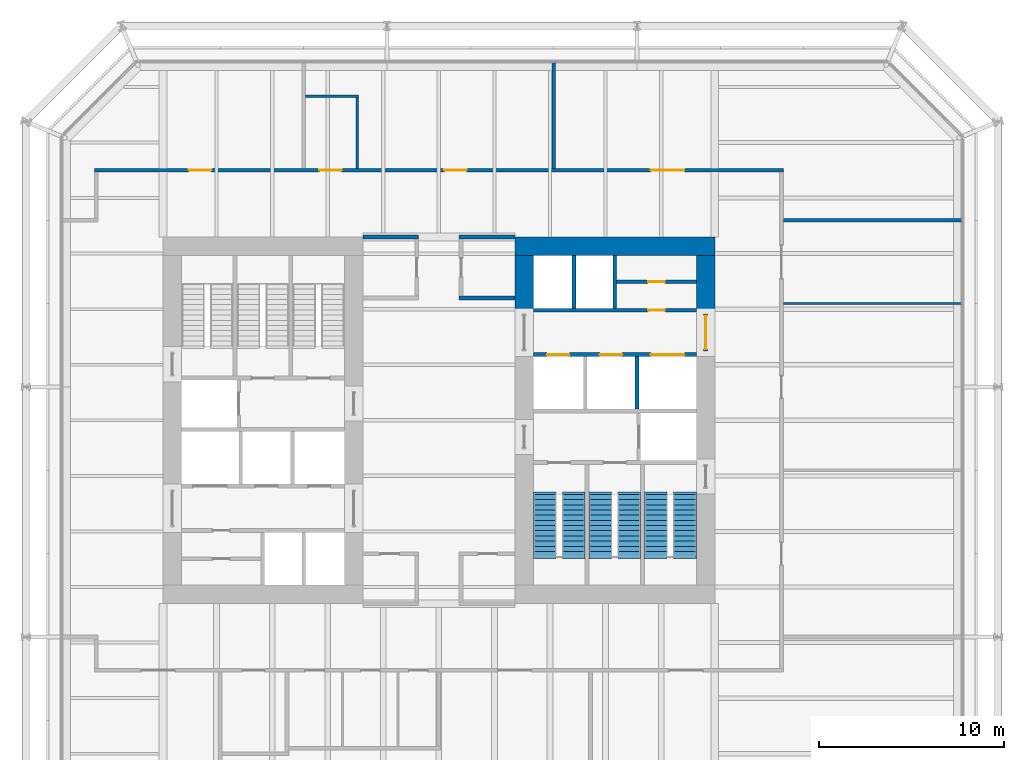
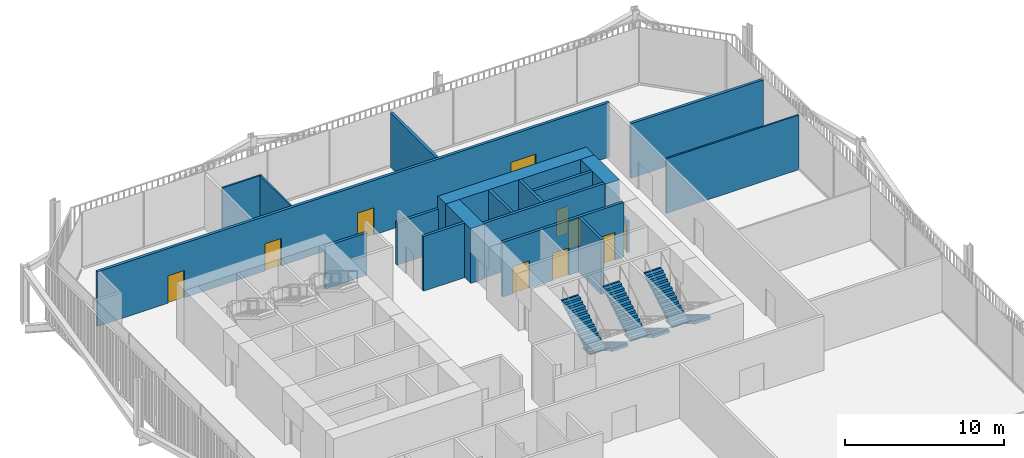
# One storey, part 19 of 21: 19 walls, 10 doors, 6 stair flights, 10 openings, 3 elements without a shape of their own.
"""IFC4 building model written with IfcOpenShell, lengths in metres."""

from ifc_helpers import new_model, si_unit, direction, frame, frame_2d, origin, place, context, subcontext, project, spatial, polyline, rectangle, outline, extrude, material, layer, layer_set, type_object, element, fill, aggregate, save


model = new_model("IFC4")

# Units and contexts
model_context = context("Model", 3, precision=1e-05, world=origin(), true_north=direction((0.0, 1.0)))
body_context = subcontext(model_context, "Body", "Model", "MODEL_VIEW")
ifc_project = project(units=[si_unit("LENGTHUNIT", "METRE"), si_unit("AREAUNIT", "SQUARE_METRE"), si_unit("VOLUMEUNIT", "CUBIC_METRE"), si_unit("PLANEANGLEUNIT", "RADIAN"), si_unit("MASSUNIT", "GRAM", prefix="KILO")], contexts=[model_context])

# Site, building, storey
site_placement = place(None, origin())
site = spatial("IfcSite", under=ifc_project, at=site_placement, CompositionType="ELEMENT")
building_placement = place(site_placement, origin())
building = spatial("IfcBuilding", under=site, at=building_placement, Name="Millrace Tower", CompositionType="ELEMENT")
storey_placement = place(building_placement, frame((0.0, 0.0, 90.800048828125)))
storey = spatial("IfcBuildingStorey", under=building, at=storey_placement, Name="L20", CompositionType="ELEMENT", Elevation=90.800048828125)

# Walls
ifc_material_1 = material(Name="Concrete C80", Category="concrete")
ifc_layer_1 = layer(ifc_material_1, 1.0)
ifc_layer_set_1 = layer_set([ifc_layer_1], Name="Concrete C80")
wall_type_1 = type_object("IfcWallType", Name="Core wall 1000 Concrete C80", PredefinedType="SHEAR", material=ifc_layer_set_1)
wall_1_placement = place(storey_placement, frame((14.89990234375, 9.39990234375, 0.0), z_axis=(0.0, 0.0, 1.0), x_axis=(-1.0, 0.0, 0.0)))
element("IfcWall", 1, at=wall_1_placement, inside=storey, type_object=wall_type_1, Name="Core wall E L20", PredefinedType="SHEAR", context=body_context, shape_type="SweptSolid", body=[
    extrude(rectangle(XDim=10.7998046875, YDim=1.0, at=frame_2d((5.39990234375, 0.0))), origin(), (0.0, 0.0, 1.0), 4.199951171875),
])
for number, where, z_axis, x_axis, name in (
    (2, (14.39990234375, 8.89990234375, 0.0), (0.0, 0.0, 1.0), (0.0, -1.0, 0.0), "Core wall E L20"),
    (3, (4.60009765625, 8.89990234375, 0.0), (0.0, 0.0, 1.0), (0.0, -1.0, 0.0), "Core wall E L20"),
):
    element("IfcWall", number, at=place(storey_placement, frame(where, z_axis=z_axis, x_axis=x_axis)), inside=storey, type_object=wall_type_1, Name=name, PredefinedType="SHEAR", context=body_context, shape_type="SweptSolid", body=[
        extrude(rectangle(XDim=3.14990234375, YDim=1.0, at=frame_2d((1.574951171875, 0.0))), origin(), (0.0, 0.0, 1.0), 4.199951171875),
    ])
ifc_material_2 = material(Name="Masonry partition, fire-rated", Category="masonry")
ifc_layer_2 = layer(ifc_material_2, 0.199951171875)
ifc_layer_set_2 = layer_set([ifc_layer_2], Name="Masonry partition, fire-rated")
wall_type_2 = type_object("IfcWallType", Name="Corridor wall 200", PredefinedType="PARTITIONING", material=ifc_layer_set_2)
wall_2_placement = place(storey_placement, frame((1.10009765625, 6.60009765625, 0.0), z_axis=(0.0, 0.0, 1.0), x_axis=(1.0, 0.0, 0.0)))
element("IfcWall", 4, at=wall_2_placement, inside=storey, type_object=wall_type_2, Name="Corridor wall L20", PredefinedType="PARTITIONING", context=body_context, shape_type="SweptSolid", body=[
    extrude(rectangle(XDim=3.0, YDim=0.199951171875, at=frame_2d((1.5, 0.0))), origin(), (0.0, 0.0, 1.0), 4.199951171875),
])
for number, where, z_axis, x_axis, name in (
    (5, (-4.10009765625, 9.89990234375, 0.0), (0.0, 0.0, 1.0), (1.0, 0.0, 0.0), "Corridor wall L20"),
    (6, (1.10009765625, 9.89990234375, 0.0), (0.0, 0.0, 1.0), (1.0, 0.0, 0.0), "Corridor wall L20"),
):
    element("IfcWall", number, at=place(storey_placement, frame(where, z_axis=z_axis, x_axis=x_axis)), inside=storey, type_object=wall_type_2, Name=name, PredefinedType="PARTITIONING", context=body_context, shape_type="SweptSolid", body=[
        extrude(rectangle(XDim=3.0, YDim=0.199951171875, at=frame_2d((1.5, 0.0))), origin(), (0.0, 0.0, 1.0), 3.2626953125),
    ])
wall_3_placement = place(storey_placement, frame((18.60009765625, 10.800048828125, 0.0), z_axis=(0.0, 0.0, 1.0), x_axis=(1.0, 0.0, 0.0)))
element("IfcWall", 7, at=wall_3_placement, inside=storey, type_object=wall_type_2, Name="Corridor wall L20", PredefinedType="PARTITIONING", context=body_context, shape_type="SweptSolid", body=[
    extrude(rectangle(XDim=9.6298828125, YDim=0.199951171875, at=frame_2d((4.81494140625, 0.0))), origin(), (0.0, 0.0, 1.0), 4.199951171875),
])

# Wall, openings, doors
wall_4_placement = place(storey_placement, frame((-18.60009765625, 13.5, 0.0), z_axis=(0.0, 0.0, 1.0), x_axis=(1.0, 0.0, 0.0)))
wall_4 = element("IfcWall", 8, at=wall_4_placement, inside=storey, type_object=wall_type_2, Name="Corridor wall L20", PredefinedType="PARTITIONING", context=body_context, shape_type="SweptSolid", body=[
    extrude(rectangle(XDim=37.2001953125, YDim=0.199951171875, at=frame_2d((18.60009765625, 0.0))), origin(), (0.0, 0.0, 1.0), 4.199951171875),
])
opening_1_placement = place(wall_4_placement, frame((5.10009765625, 0.0, 0.0)))
opening_1 = element("IfcOpeningElement", 9, at=opening_1_placement, cuts=wall_4, Name="Opening 20-P009", PredefinedType="OPENING", context=body_context, shape_type="SweptSolid", body=[
    extrude(rectangle(XDim=1.199951171875, YDim=2.10009765625, at=frame_2d((0.60009765625, 1.050048828125))), frame((0.0, 0.10986328125, 0.0), z_axis=(0.0, -1.0, 0.0), x_axis=(1.0, 0.0, 0.0)), (0.0, 0.0, 1.0), 0.219970703125),
])
opening_2_placement = place(wall_4_placement, frame((18.89990234375, 0.0, 0.0)))
opening_2 = element("IfcOpeningElement", 10, at=opening_2_placement, cuts=wall_4, Name="Opening 20-P010", PredefinedType="OPENING", context=body_context, shape_type="SweptSolid", body=[
    extrude(rectangle(XDim=1.199951171875, YDim=2.10009765625, at=frame_2d((0.60009765625, 1.050048828125))), frame((0.0, 0.10986328125, 0.0), z_axis=(0.0, -1.0, 0.0), x_axis=(1.0, 0.0, 0.0)), (0.0, 0.0, 1.0), 0.219970703125),
])
opening_3_placement = place(wall_4_placement, frame((12.14990234375, 0.0, 0.0)))
opening_3 = element("IfcOpeningElement", 11, at=opening_3_placement, cuts=wall_4, Name="Opening 20-P011", PredefinedType="OPENING", context=body_context, shape_type="SweptSolid", body=[
    extrude(rectangle(XDim=1.199951171875, YDim=2.10009765625, at=frame_2d((0.60009765625, 1.050048828125))), frame((0.0, 0.10986328125, 0.0), z_axis=(0.0, -1.0, 0.0), x_axis=(1.0, 0.0, 0.0)), (0.0, 0.0, 1.0), 0.219970703125),
])
opening_4_placement = place(wall_4_placement, frame((30.050048828125, 0.0, 0.0)))
opening_4 = element("IfcOpeningElement", 12, at=opening_4_placement, cuts=wall_4, Name="Opening 20-P012", PredefinedType="OPENING", context=body_context, shape_type="SweptSolid", body=[
    extrude(rectangle(XDim=1.800048828125, YDim=2.10009765625, at=frame_2d((0.89990234375, 1.050048828125))), frame((0.0, 0.10986328125, 0.0), z_axis=(0.0, -1.0, 0.0), x_axis=(1.0, 0.0, 0.0)), (0.0, 0.0, 1.0), 0.219970703125),
])
ifc_material_3 = material(Name="Steel door set, fire-rated", Category="steel")
door_type_1 = type_object("IfcDoorType", Name="Corridor door 1200 x 2100", OperationType="SINGLE_SWING_LEFT", PredefinedType="DOOR", material=ifc_material_3)
door_1_placement = place(opening_2_placement, origin())
door_1 = element("IfcDoor", 13, at=door_1_placement, inside=storey, type_object=door_type_1, Name="Door 20-P010", OperationType="SINGLE_SWING_RIGHT", OverallHeight=2.10009765625, OverallWidth=1.199951171875, PredefinedType="DOOR", context=body_context, shape_type="SweptSolid", body=[
    extrude(rectangle(XDim=1.199951171875, YDim=2.10009765625, at=frame_2d((0.60009765625, 1.050048828125))), frame((0.0, 0.02490234375, 0.0), z_axis=(0.0, -1.0, 0.0), x_axis=(1.0, 0.0, 0.0)), (0.0, 0.0, 1.0), 0.050048828125),
])
fill(opening_2, door_1)
door_2_placement = place(opening_3_placement, origin())
door_2 = element("IfcDoor", 14, at=door_2_placement, inside=storey, type_object=door_type_1, Name="Door 20-P011", OperationType="SINGLE_SWING_LEFT", OverallHeight=2.10009765625, OverallWidth=1.199951171875, PredefinedType="DOOR", context=body_context, shape_type="SweptSolid", body=[
    extrude(rectangle(XDim=1.199951171875, YDim=2.10009765625, at=frame_2d((0.60009765625, 1.050048828125))), frame((0.0, 0.02490234375, 0.0), z_axis=(0.0, -1.0, 0.0), x_axis=(1.0, 0.0, 0.0)), (0.0, 0.0, 1.0), 0.050048828125),
])
fill(opening_3, door_2)
ifc_material_4 = material(Name="Steel door set, fire-rated", Category="steel")
door_type_2 = type_object("IfcDoorType", Name="Data hall door 1200 x 2100", OperationType="SINGLE_SWING_LEFT", PredefinedType="DOOR", material=ifc_material_4)
door_3_placement = place(opening_1_placement, origin())
door_3 = element("IfcDoor", 15, at=door_3_placement, inside=storey, type_object=door_type_2, Name="Door 20-P009", OperationType="SINGLE_SWING_LEFT", OverallHeight=2.10009765625, OverallWidth=1.199951171875, PredefinedType="DOOR", context=body_context, shape_type="SweptSolid", body=[
    extrude(rectangle(XDim=1.199951171875, YDim=2.10009765625, at=frame_2d((0.60009765625, 1.050048828125))), frame((0.0, 0.02490234375, 0.0), z_axis=(0.0, -1.0, 0.0), x_axis=(1.0, 0.0, 0.0)), (0.0, 0.0, 1.0), 0.050048828125),
])
fill(opening_1, door_3)
ifc_material_5 = material(Name="Steel door set, fire-rated", Category="steel")
door_type_3 = type_object("IfcDoorType", Name="Data hall door 1800 x 2100", OperationType="DOUBLE_DOOR_SINGLE_SWING", PredefinedType="DOOR", material=ifc_material_5)
door_4_placement = place(opening_4_placement, origin())
door_4 = element("IfcDoor", 16, at=door_4_placement, inside=storey, type_object=door_type_3, Name="Door 20-P012", OperationType="DOUBLE_DOOR_SINGLE_SWING", OverallHeight=2.10009765625, OverallWidth=1.800048828125, PredefinedType="DOOR", context=body_context, shape_type="SweptSolid", body=[
    extrude(rectangle(XDim=1.800048828125, YDim=2.10009765625, at=frame_2d((0.89990234375, 1.050048828125))), frame((0.0, 0.02490234375, 0.0), z_axis=(0.0, -1.0, 0.0), x_axis=(1.0, 0.0, 0.0)), (0.0, 0.0, 1.0), 0.050048828125),
])
fill(opening_4, door_4)

# Wall
wall_5_placement = place(storey_placement, frame((6.199951171875, 13.60009765625, 0.0), z_axis=(0.0, 0.0, 1.0), x_axis=(0.0, 1.0, 0.0)))
element("IfcWall", 17, at=wall_5_placement, inside=storey, type_object=wall_type_2, Name="Corridor wall L20", PredefinedType="PARTITIONING", context=body_context, shape_type="SweptSolid", body=[
    extrude(rectangle(XDim=5.72998046875, YDim=0.199951171875, at=frame_2d((2.864990234375, 0.0))), origin(), (0.0, 0.0, 1.0), 4.199951171875),
])

# Wall, opening, door
ifc_material_6 = material(Name="Masonry partition, fire-rated", Category="masonry")
ifc_layer_3 = layer(ifc_material_6, 0.199951171875)
ifc_layer_set_3 = layer_set([ifc_layer_3], Name="Masonry partition, fire-rated")
wall_type_3 = type_object("IfcWallType", Name="Lift shaft wall 200", PredefinedType="PARTITIONING", material=ifc_layer_set_3)
wall_6_placement = place(storey_placement, frame((13.89990234375, 5.949951171875, 0.0), z_axis=(0.0, 0.0, 1.0), x_axis=(-1.0, 0.0, 0.0)))
wall_6 = element("IfcWall", 18, at=wall_6_placement, inside=storey, type_object=wall_type_3, Name="Lift shaft wall E L20", PredefinedType="PARTITIONING", context=body_context, shape_type="SweptSolid", body=[
    extrude(rectangle(XDim=8.7998046875, YDim=0.199951171875, at=frame_2d((4.39990234375, 0.0))), origin(), (0.0, 0.0, 1.0), 4.199951171875),
])
opening_5_placement = place(wall_6_placement, frame((1.699951171875, 0.0, 0.0)))
opening_5 = element("IfcOpeningElement", 19, at=opening_5_placement, cuts=wall_6, Name="Opening 20-C013", PredefinedType="OPENING", context=body_context, shape_type="SweptSolid", body=[
    extrude(rectangle(XDim=0.89990234375, YDim=2.10009765625, at=frame_2d((0.449951171875, 1.050048828125))), frame((0.0, 0.10986328125, 0.0), z_axis=(0.0, -1.0, 0.0), x_axis=(1.0, 0.0, 0.0)), (0.0, 0.0, 1.0), 0.219970703125),
])
ifc_material_7 = material(Name="Steel door, fire-rated", Category="steel")
door_type_4 = type_object("IfcDoorType", Name="Service room door 900 x 2100", OperationType="SINGLE_SWING_LEFT", PredefinedType="DOOR", material=ifc_material_7)
door_5_placement = place(opening_5_placement, origin())
door_5 = element("IfcDoor", 20, at=door_5_placement, inside=storey, type_object=door_type_4, Name="Service room door 20-C013", OperationType="SINGLE_SWING_LEFT", OverallHeight=2.10009765625, OverallWidth=0.89990234375, PredefinedType="DOOR", context=body_context, shape_type="SweptSolid", body=[
    extrude(rectangle(XDim=0.89990234375, YDim=2.10009765625, at=frame_2d((0.449951171875, 1.050048828125))), frame((0.0, 0.02490234375, 0.0), z_axis=(0.0, -1.0, 0.0), x_axis=(1.0, 0.0, 0.0)), (0.0, 0.0, 1.0), 0.050048828125),
])
fill(opening_5, door_5)

# Wall, openings, doors
wall_7_placement = place(storey_placement, frame((13.89990234375, 3.550048828125, 0.0), z_axis=(0.0, 0.0, 1.0), x_axis=(-1.0, 0.0, 0.0)))
wall_7 = element("IfcWall", 21, at=wall_7_placement, inside=storey, type_object=wall_type_3, Name="Lift shaft wall E L20", PredefinedType="PARTITIONING", context=body_context, shape_type="SweptSolid", body=[
    extrude(rectangle(XDim=8.7998046875, YDim=0.199951171875, at=frame_2d((4.39990234375, 0.0))), origin(), (0.0, 0.0, 1.0), 4.199951171875),
])
opening_6_placement = place(wall_7_placement, frame((0.64990234375, 0.0, 0.0)))
opening_6 = element("IfcOpeningElement", 22, at=opening_6_placement, cuts=wall_7, Name="Opening 20-LD13", PredefinedType="OPENING", context=body_context, shape_type="SweptSolid", body=[
    extrude(rectangle(XDim=1.800048828125, YDim=2.10009765625, at=frame_2d((0.89990234375, 1.050048828125))), frame((0.0, 0.10986328125, 0.0), z_axis=(0.0, -1.0, 0.0), x_axis=(1.0, 0.0, 0.0)), (0.0, 0.0, 1.0), 0.219970703125),
])
opening_7_placement = place(wall_7_placement, frame((4.0, 0.0, 0.0)))
opening_7 = element("IfcOpeningElement", 23, at=opening_7_placement, cuts=wall_7, Name="Opening 20-LD14", PredefinedType="OPENING", context=body_context, shape_type="SweptSolid", body=[
    extrude(rectangle(XDim=1.199951171875, YDim=2.10009765625, at=frame_2d((0.60009765625, 1.050048828125))), frame((0.0, 0.10986328125, 0.0), z_axis=(0.0, -1.0, 0.0), x_axis=(1.0, 0.0, 0.0)), (0.0, 0.0, 1.0), 0.219970703125),
])
opening_8_placement = place(wall_7_placement, frame((6.85009765625, 0.0, 0.0)))
opening_8 = element("IfcOpeningElement", 24, at=opening_8_placement, cuts=wall_7, Name="Opening 20-LD15", PredefinedType="OPENING", context=body_context, shape_type="SweptSolid", body=[
    extrude(rectangle(XDim=1.199951171875, YDim=2.10009765625, at=frame_2d((0.60009765625, 1.050048828125))), frame((0.0, 0.10986328125, 0.0), z_axis=(0.0, -1.0, 0.0), x_axis=(1.0, 0.0, 0.0)), (0.0, 0.0, 1.0), 0.219970703125),
])
ifc_material_8 = material(Name="Stainless steel, fire-rated", Category="steel")
door_type_5 = type_object("IfcDoorType", Name="Lift landing door 1200 x 2100", OperationType="DOUBLE_DOOR_SLIDING", PredefinedType="DOOR", material=ifc_material_8)
door_6_placement = place(opening_7_placement, origin())
door_6 = element("IfcDoor", 25, at=door_6_placement, inside=storey, type_object=door_type_5, Name="Lift landing door LF14 L20", OperationType="DOUBLE_DOOR_SLIDING", OverallHeight=2.10009765625, OverallWidth=1.199951171875, PredefinedType="DOOR", context=body_context, shape_type="SweptSolid", body=[
    extrude(rectangle(XDim=1.199951171875, YDim=2.10009765625, at=frame_2d((0.60009765625, 1.050048828125))), frame((0.0, 0.02490234375, 0.0), z_axis=(0.0, -1.0, 0.0), x_axis=(1.0, 0.0, 0.0)), (0.0, 0.0, 1.0), 0.050048828125),
])
fill(opening_7, door_6)
door_7_placement = place(opening_8_placement, origin())
door_7 = element("IfcDoor", 26, at=door_7_placement, inside=storey, type_object=door_type_5, Name="Lift landing door LF15 L20", OperationType="DOUBLE_DOOR_SLIDING", OverallHeight=2.10009765625, OverallWidth=1.199951171875, PredefinedType="DOOR", context=body_context, shape_type="SweptSolid", body=[
    extrude(rectangle(XDim=1.199951171875, YDim=2.10009765625, at=frame_2d((0.60009765625, 1.050048828125))), frame((0.0, 0.02490234375, 0.0), z_axis=(0.0, -1.0, 0.0), x_axis=(1.0, 0.0, 0.0)), (0.0, 0.0, 1.0), 0.050048828125),
])
fill(opening_8, door_7)
ifc_material_9 = material(Name="Stainless steel, fire-rated", Category="steel")
door_type_6 = type_object("IfcDoorType", Name="Lift landing door 1800 x 2100", OperationType="DOUBLE_DOOR_SLIDING", PredefinedType="DOOR", material=ifc_material_9)
door_8_placement = place(opening_6_placement, origin())
door_8 = element("IfcDoor", 27, at=door_8_placement, inside=storey, type_object=door_type_6, Name="Lift landing door LF13 L20", OperationType="DOUBLE_DOOR_SLIDING", OverallHeight=2.10009765625, OverallWidth=1.800048828125, PredefinedType="DOOR", context=body_context, shape_type="SweptSolid", body=[
    extrude(rectangle(XDim=1.800048828125, YDim=2.10009765625, at=frame_2d((0.89990234375, 1.050048828125))), frame((0.0, 0.02490234375, 0.0), z_axis=(0.0, -1.0, 0.0), x_axis=(1.0, 0.0, 0.0)), (0.0, 0.0, 1.0), 0.050048828125),
])
fill(opening_6, door_8)

# Walls
for number, where, z_axis, x_axis, name in (
    (28, (9.5, 8.89990234375, 0.0), (0.0, 0.0, 1.0), (0.0, -1.0, 0.0), "Lift shaft wall E L20"),
    (29, (7.300048828125, 8.89990234375, 0.0), (0.0, 0.0, 1.0), (0.0, -1.0, 0.0), "Lift shaft wall E L20"),
    (30, (10.699951171875, 3.449951171875, 0.0), (0.0, 0.0, 1.0), (0.0, -1.0, 0.0), "Lift shaft wall E L20"),
):
    element("IfcWall", number, at=place(storey_placement, frame(where, z_axis=z_axis, x_axis=x_axis)), inside=storey, type_object=wall_type_3, Name=name, PredefinedType="PARTITIONING", context=body_context, shape_type="SweptSolid", body=[
        extrude(rectangle(XDim=2.849853515625, YDim=0.199951171875, at=frame_2d((1.4248046875, 0.0))), origin(), (0.0, 0.0, 1.0), 4.199951171875),
    ])

# Wall, opening, door
ifc_material_10 = material(Name="Masonry partition, fire-rated", Category="masonry")
ifc_layer_4 = layer(ifc_material_10, 0.199951171875)
ifc_layer_set_4 = layer_set([ifc_layer_4], Name="Masonry partition, fire-rated")
wall_type_4 = type_object("IfcWallType", Name="Lobby wall 200", PredefinedType="PARTITIONING", material=ifc_layer_set_4)
wall_8_placement = place(storey_placement, frame((14.39990234375, 5.75, 0.0), z_axis=(0.0, 0.0, 1.0), x_axis=(0.0, -1.0, 0.0)))
wall_8 = element("IfcWall", 31, at=wall_8_placement, inside=storey, type_object=wall_type_4, Name="Lobby wall E L20", PredefinedType="PARTITIONING", context=body_context, shape_type="SweptSolid", body=[
    extrude(rectangle(XDim=2.0, YDim=0.199951171875, at=frame_2d((1.0, 0.0))), origin(), (0.0, 0.0, 1.0), 2.39990234375),
])
opening_9_placement = place(wall_8_placement, frame((0.10009765625, 0.0, 0.0)))
opening_9 = element("IfcOpeningElement", 32, at=opening_9_placement, cuts=wall_8, Name="Opening 20-C009", PredefinedType="OPENING", context=body_context, shape_type="SweptSolid", body=[
    extrude(rectangle(XDim=1.800048828125, YDim=2.10009765625, at=frame_2d((0.89990234375, 1.050048828125))), frame((0.0, 0.10986328125, 0.0), z_axis=(0.0, -1.0, 0.0), x_axis=(1.0, 0.0, 0.0)), (0.0, 0.0, 1.0), 0.219970703125),
])
ifc_material_11 = material(Name="Steel door, fire-rated", Category="steel")
door_type_7 = type_object("IfcDoorType", Name="Lobby door 1800 x 2100", OperationType="DOUBLE_DOOR_SINGLE_SWING", PredefinedType="DOOR", material=ifc_material_11)
door_9_placement = place(opening_9_placement, origin())
door_9 = element("IfcDoor", 33, at=door_9_placement, inside=storey, type_object=door_type_7, Name="Lobby door 20-C009", OperationType="DOUBLE_DOOR_SINGLE_SWING", OverallHeight=2.10009765625, OverallWidth=1.800048828125, PredefinedType="DOOR", context=body_context, shape_type="SweptSolid", body=[
    extrude(rectangle(XDim=1.800048828125, YDim=2.10009765625, at=frame_2d((0.89990234375, 1.050048828125))), frame((0.0, 0.02490234375, 0.0), z_axis=(0.0, -1.0, 0.0), x_axis=(1.0, 0.0, 0.0)), (0.0, 0.0, 1.0), 0.050048828125),
])
fill(opening_9, door_9)

# Walls
ifc_material_12 = material(Name="Gypsum board partition")
ifc_layer_5 = layer(ifc_material_12, 0.1201171875)
ifc_layer_set_5 = layer_set([ifc_layer_5], Name="Gypsum board partition")
wall_type_5 = type_object("IfcWallType", Name="Partition wall 120", PredefinedType="PARTITIONING", material=ifc_layer_set_5)
wall_9_placement = place(storey_placement, frame((18.60009765625, 6.300048828125, 0.0), z_axis=(0.0, 0.0, 1.0), x_axis=(1.0, 0.0, 0.0)))
element("IfcWall", 34, at=wall_9_placement, inside=storey, type_object=wall_type_5, Name="Partition wall L20", PredefinedType="PARTITIONING", context=body_context, shape_type="SweptSolid", body=[
    extrude(rectangle(XDim=9.6298828125, YDim=0.1201171875, at=frame_2d((4.81494140625, 0.0))), origin(), (0.0, 0.0, 1.0), 4.199951171875),
])
wall_10_placement = place(storey_placement, frame((-7.199951171875, 17.5, 0.0), z_axis=(0.0, 0.0, 1.0), x_axis=(1.0, 0.0, 0.0)))
element("IfcWall", 35, at=wall_10_placement, inside=storey, type_object=wall_type_5, Name="Partition wall L20", PredefinedType="PARTITIONING", context=body_context, shape_type="SweptSolid", body=[
    extrude(rectangle(XDim=2.85986328125, YDim=0.1201171875, at=frame_2d((1.429931640625, 0.0))), origin(), (0.0, 0.0, 1.0), 4.199951171875),
])
wall_11_placement = place(storey_placement, frame((-4.39990234375, 13.60009765625, 0.0), z_axis=(0.0, 0.0, 1.0), x_axis=(0.0, 1.0, 0.0)))
element("IfcWall", 36, at=wall_11_placement, inside=storey, type_object=wall_type_5, Name="Partition wall L20", PredefinedType="PARTITIONING", context=body_context, shape_type="SweptSolid", body=[
    extrude(rectangle(XDim=3.83984375, YDim=0.1201171875, at=frame_2d((1.919921875, 0.0))), origin(), (0.0, 0.0, 1.0), 4.199951171875),
])

# Wall, opening, door
ifc_material_13 = material(Name="Masonry partition, fire-rated", Category="masonry")
ifc_layer_6 = layer(ifc_material_13, 0.199951171875)
ifc_layer_set_6 = layer_set([ifc_layer_6], Name="Masonry partition, fire-rated")
wall_type_6 = type_object("IfcWallType", Name="Room partition 200", PredefinedType="PARTITIONING", material=ifc_layer_set_6)
wall_12_placement = place(storey_placement, frame((13.89990234375, 7.47509765625, 0.0), z_axis=(0.0, 0.0, 1.0), x_axis=(-1.0, 0.0, 0.0)))
wall_12 = element("IfcWall", 37, at=wall_12_placement, inside=storey, type_object=wall_type_6, Name="Room partition E L20", PredefinedType="PARTITIONING", context=body_context, shape_type="SweptSolid", body=[
    extrude(rectangle(XDim=4.2998046875, YDim=0.199951171875, at=frame_2d((2.14990234375, 0.0))), origin(), (0.0, 0.0, 1.0), 4.199951171875),
])
opening_10_placement = place(wall_12_placement, frame((1.699951171875, 0.0, 0.0)))
opening_10 = element("IfcOpeningElement", 38, at=opening_10_placement, cuts=wall_12, Name="Opening 20-C014", PredefinedType="OPENING", context=body_context, shape_type="SweptSolid", body=[
    extrude(rectangle(XDim=0.89990234375, YDim=2.10009765625, at=frame_2d((0.449951171875, 1.050048828125))), frame((0.0, 0.10986328125, 0.0), z_axis=(0.0, -1.0, 0.0), x_axis=(1.0, 0.0, 0.0)), (0.0, 0.0, 1.0), 0.219970703125),
])
door_10_placement = place(opening_10_placement, frame((0.89990234375, 0.0, 0.0), z_axis=(0.0, 0.0, 1.0), x_axis=(-1.0, 0.0, 0.0)))
door_10 = element("IfcDoor", 39, at=door_10_placement, inside=storey, type_object=door_type_4, Name="Service room door 20-C014", OperationType="SINGLE_SWING_RIGHT", OverallHeight=2.10009765625, OverallWidth=0.89990234375, PredefinedType="DOOR", context=body_context, shape_type="SweptSolid", body=[
    extrude(rectangle(XDim=0.89990234375, YDim=2.10009765625, at=frame_2d((0.449951171875, 1.050048828125))), frame((0.0, 0.02490234375, 0.0), z_axis=(0.0, -1.0, 0.0), x_axis=(1.0, 0.0, 0.0)), (0.0, 0.0, 1.0), 0.050048828125),
])
fill(opening_10, door_10)

# Stair, stair flights
ifc_material_14 = material(Name="Concrete C35", Category="concrete")
stair_type = type_object("IfcStairType", Name="Exit stair", PredefinedType="HALF_TURN_STAIR", material=ifc_material_14)
placement = place(storey_placement, origin())
stair_1 = element("IfcStair", 40, at=placement, inside=storey, type_object=stair_type, Name="Stair 1 E L20", PredefinedType="HALF_TURN_STAIR")
ifc_material_15 = material(Name="Concrete C35", Category="concrete")
stair_flight_type = type_object("IfcStairFlightType", Name="Exit stair flight", PredefinedType="STRAIGHT", material=ifc_material_15)
stair_flight_1_placement = place(storey_placement, frame((13.2900390625, -4.0, 0.0), z_axis=(0.0, 0.0, 1.0), x_axis=(0.0, -1.0, 0.0)))
stair_flight_1 = element("IfcStairFlight", 41, at=stair_flight_1_placement, type_object=stair_flight_type, Name="ST12 flight 1", NumberOfRisers=13, NumberOfTreads=12, PredefinedType="STRAIGHT", RiserHeight=0.169230769, TreadLength=0.28, context=body_context, shape_type="SweptSolid", body=[
    extrude(outline(polyline([(-0.1201171875, -0.0400390625), (-0.1201171875, 0.0), (0.0, 0.0), (0.0, 0.169189453125), (0.280029296875, 0.169189453125), (0.280029296875, 0.33837890625), (0.56005859375, 0.33837890625), (0.56005859375, 0.5078125), (0.840087890625, 0.5078125), (0.840087890625, 0.677001953125), (1.1201171875, 0.677001953125), (1.1201171875, 0.84619140625), (1.39990234375, 0.84619140625), (1.39990234375, 1.015380859375), (1.679931640625, 1.015380859375), (1.679931640625, 1.1845703125), (1.9599609375, 1.1845703125), (1.9599609375, 1.353759765625), (2.239990234375, 1.353759765625), (2.239990234375, 1.523193359375), (2.52001953125, 1.523193359375), (2.52001953125, 1.6923828125), (2.800048828125, 1.6923828125), (2.800048828125, 1.861572265625), (3.080078125, 1.861572265625), (3.080078125, 2.03076171875), (3.360107421875, 2.03076171875), (3.360107421875, 2.05078125), (3.47998046875, 2.05078125), (3.47998046875, 1.855712890625), (3.360107421875, 1.855712890625), (0.289794921875, 0.0), (0.289794921875, -0.0400390625), (-0.1201171875, -0.0400390625)])), frame((0.0, 0.60986328125, 0.0), z_axis=(0.0, -1.0, 0.0), x_axis=(1.0, 0.0, 0.0)), (0.0, 0.0, 1.0), 1.219970703125),
])
stair_flight_2_placement = place(storey_placement, frame((11.7099609375, -7.360107421875, 2.199951171875), z_axis=(0.0, 0.0, 1.0), x_axis=(0.0, 1.0, 0.0)))
stair_flight_2 = element("IfcStairFlight", 42, at=stair_flight_2_placement, type_object=stair_flight_type, Name="ST12 flight 2", NumberOfRisers=13, NumberOfTreads=12, PredefinedType="STRAIGHT", RiserHeight=0.169230769, TreadLength=0.28, context=body_context, shape_type="SweptSolid", body=[
    extrude(outline(polyline([(-0.1201171875, -0.0400390625), (-0.1201171875, 0.0), (0.0, 0.0), (0.0, 0.169189453125), (0.280029296875, 0.169189453125), (0.280029296875, 0.33837890625), (0.56005859375, 0.33837890625), (0.56005859375, 0.5078125), (0.840087890625, 0.5078125), (0.840087890625, 0.677001953125), (1.1201171875, 0.677001953125), (1.1201171875, 0.84619140625), (1.39990234375, 0.84619140625), (1.39990234375, 1.015380859375), (1.679931640625, 1.015380859375), (1.679931640625, 1.1845703125), (1.9599609375, 1.1845703125), (1.9599609375, 1.353759765625), (2.239990234375, 1.353759765625), (2.239990234375, 1.523193359375), (2.52001953125, 1.523193359375), (2.52001953125, 1.6923828125), (2.800048828125, 1.6923828125), (2.800048828125, 1.861572265625), (3.080078125, 1.861572265625), (3.080078125, 2.03076171875), (3.360107421875, 2.03076171875), (3.360107421875, 2.05078125), (3.47998046875, 2.05078125), (3.47998046875, 1.855712890625), (3.360107421875, 1.855712890625), (0.289794921875, 0.0), (0.289794921875, -0.0400390625), (-0.1201171875, -0.0400390625)])), frame((0.0, 0.60986328125, 0.0), z_axis=(0.0, -1.0, 0.0), x_axis=(1.0, 0.0, 0.0)), (0.0, 0.0, 1.0), 1.219970703125),
])
aggregate(stair_1, [stair_flight_1, stair_flight_2])

stair_2 = element("IfcStair", 43, at=placement, inside=storey, type_object=stair_type, Name="Stair 2 E L20", PredefinedType="HALF_TURN_STAIR")
stair_flight_3_placement = place(storey_placement, frame((10.2900390625, -4.0, 0.0), z_axis=(0.0, 0.0, 1.0), x_axis=(0.0, -1.0, 0.0)))
stair_flight_3 = element("IfcStairFlight", 44, at=stair_flight_3_placement, type_object=stair_flight_type, Name="ST12 flight 1", NumberOfRisers=13, NumberOfTreads=12, PredefinedType="STRAIGHT", RiserHeight=0.169230769, TreadLength=0.28, context=body_context, shape_type="SweptSolid", body=[
    extrude(outline(polyline([(-0.1201171875, -0.0400390625), (-0.1201171875, 0.0), (0.0, 0.0), (0.0, 0.169189453125), (0.280029296875, 0.169189453125), (0.280029296875, 0.33837890625), (0.56005859375, 0.33837890625), (0.56005859375, 0.5078125), (0.840087890625, 0.5078125), (0.840087890625, 0.677001953125), (1.1201171875, 0.677001953125), (1.1201171875, 0.84619140625), (1.39990234375, 0.84619140625), (1.39990234375, 1.015380859375), (1.679931640625, 1.015380859375), (1.679931640625, 1.1845703125), (1.9599609375, 1.1845703125), (1.9599609375, 1.353759765625), (2.239990234375, 1.353759765625), (2.239990234375, 1.523193359375), (2.52001953125, 1.523193359375), (2.52001953125, 1.6923828125), (2.800048828125, 1.6923828125), (2.800048828125, 1.861572265625), (3.080078125, 1.861572265625), (3.080078125, 2.03076171875), (3.360107421875, 2.03076171875), (3.360107421875, 2.05078125), (3.47998046875, 2.05078125), (3.47998046875, 1.855712890625), (3.360107421875, 1.855712890625), (0.289794921875, 0.0), (0.289794921875, -0.0400390625), (-0.1201171875, -0.0400390625)])), frame((0.0, 0.60986328125, 0.0), z_axis=(0.0, -1.0, 0.0), x_axis=(1.0, 0.0, 0.0)), (0.0, 0.0, 1.0), 1.219970703125),
])
stair_flight_4_placement = place(storey_placement, frame((8.7099609375, -7.360107421875, 2.199951171875), z_axis=(0.0, 0.0, 1.0), x_axis=(0.0, 1.0, 0.0)))
stair_flight_4 = element("IfcStairFlight", 45, at=stair_flight_4_placement, type_object=stair_flight_type, Name="ST12 flight 2", NumberOfRisers=13, NumberOfTreads=12, PredefinedType="STRAIGHT", RiserHeight=0.169230769, TreadLength=0.28, context=body_context, shape_type="SweptSolid", body=[
    extrude(outline(polyline([(-0.1201171875, -0.0400390625), (-0.1201171875, 0.0), (0.0, 0.0), (0.0, 0.169189453125), (0.280029296875, 0.169189453125), (0.280029296875, 0.33837890625), (0.56005859375, 0.33837890625), (0.56005859375, 0.5078125), (0.840087890625, 0.5078125), (0.840087890625, 0.677001953125), (1.1201171875, 0.677001953125), (1.1201171875, 0.84619140625), (1.39990234375, 0.84619140625), (1.39990234375, 1.015380859375), (1.679931640625, 1.015380859375), (1.679931640625, 1.1845703125), (1.9599609375, 1.1845703125), (1.9599609375, 1.353759765625), (2.239990234375, 1.353759765625), (2.239990234375, 1.523193359375), (2.52001953125, 1.523193359375), (2.52001953125, 1.6923828125), (2.800048828125, 1.6923828125), (2.800048828125, 1.861572265625), (3.080078125, 1.861572265625), (3.080078125, 2.03076171875), (3.360107421875, 2.03076171875), (3.360107421875, 2.05078125), (3.47998046875, 2.05078125), (3.47998046875, 1.855712890625), (3.360107421875, 1.855712890625), (0.289794921875, 0.0), (0.289794921875, -0.0400390625), (-0.1201171875, -0.0400390625)])), frame((0.0, 0.60986328125, 0.0), z_axis=(0.0, -1.0, 0.0), x_axis=(1.0, 0.0, 0.0)), (0.0, 0.0, 1.0), 1.219970703125),
])
aggregate(stair_2, [stair_flight_3, stair_flight_4])

stair_3 = element("IfcStair", 46, at=placement, inside=storey, type_object=stair_type, Name="Stair 3 E L20", PredefinedType="HALF_TURN_STAIR")
stair_flight_5_placement = place(storey_placement, frame((7.2900390625, -4.0, 0.0), z_axis=(0.0, 0.0, 1.0), x_axis=(0.0, -1.0, 0.0)))
stair_flight_5 = element("IfcStairFlight", 47, at=stair_flight_5_placement, type_object=stair_flight_type, Name="ST12 flight 1", NumberOfRisers=13, NumberOfTreads=12, PredefinedType="STRAIGHT", RiserHeight=0.169230769, TreadLength=0.28, context=body_context, shape_type="SweptSolid", body=[
    extrude(outline(polyline([(-0.1201171875, -0.0400390625), (-0.1201171875, 0.0), (0.0, 0.0), (0.0, 0.169189453125), (0.280029296875, 0.169189453125), (0.280029296875, 0.33837890625), (0.56005859375, 0.33837890625), (0.56005859375, 0.5078125), (0.840087890625, 0.5078125), (0.840087890625, 0.677001953125), (1.1201171875, 0.677001953125), (1.1201171875, 0.84619140625), (1.39990234375, 0.84619140625), (1.39990234375, 1.015380859375), (1.679931640625, 1.015380859375), (1.679931640625, 1.1845703125), (1.9599609375, 1.1845703125), (1.9599609375, 1.353759765625), (2.239990234375, 1.353759765625), (2.239990234375, 1.523193359375), (2.52001953125, 1.523193359375), (2.52001953125, 1.6923828125), (2.800048828125, 1.6923828125), (2.800048828125, 1.861572265625), (3.080078125, 1.861572265625), (3.080078125, 2.03076171875), (3.360107421875, 2.03076171875), (3.360107421875, 2.05078125), (3.47998046875, 2.05078125), (3.47998046875, 1.855712890625), (3.360107421875, 1.855712890625), (0.289794921875, 0.0), (0.289794921875, -0.0400390625), (-0.1201171875, -0.0400390625)])), frame((0.0, 0.60986328125, 0.0), z_axis=(0.0, -1.0, 0.0), x_axis=(1.0, 0.0, 0.0)), (0.0, 0.0, 1.0), 1.219970703125),
])
stair_flight_6_placement = place(storey_placement, frame((5.7099609375, -7.360107421875, 2.199951171875), z_axis=(0.0, 0.0, 1.0), x_axis=(0.0, 1.0, 0.0)))
stair_flight_6 = element("IfcStairFlight", 48, at=stair_flight_6_placement, type_object=stair_flight_type, Name="ST12 flight 2", NumberOfRisers=13, NumberOfTreads=12, PredefinedType="STRAIGHT", RiserHeight=0.169230769, TreadLength=0.28, context=body_context, shape_type="SweptSolid", body=[
    extrude(outline(polyline([(-0.1201171875, -0.0400390625), (-0.1201171875, 0.0), (0.0, 0.0), (0.0, 0.169189453125), (0.280029296875, 0.169189453125), (0.280029296875, 0.33837890625), (0.56005859375, 0.33837890625), (0.56005859375, 0.5078125), (0.840087890625, 0.5078125), (0.840087890625, 0.677001953125), (1.1201171875, 0.677001953125), (1.1201171875, 0.84619140625), (1.39990234375, 0.84619140625), (1.39990234375, 1.015380859375), (1.679931640625, 1.015380859375), (1.679931640625, 1.1845703125), (1.9599609375, 1.1845703125), (1.9599609375, 1.353759765625), (2.239990234375, 1.353759765625), (2.239990234375, 1.523193359375), (2.52001953125, 1.523193359375), (2.52001953125, 1.6923828125), (2.800048828125, 1.6923828125), (2.800048828125, 1.861572265625), (3.080078125, 1.861572265625), (3.080078125, 2.03076171875), (3.360107421875, 2.03076171875), (3.360107421875, 2.05078125), (3.47998046875, 2.05078125), (3.47998046875, 1.855712890625), (3.360107421875, 1.855712890625), (0.289794921875, 0.0), (0.289794921875, -0.0400390625), (-0.1201171875, -0.0400390625)])), frame((0.0, 0.60986328125, 0.0), z_axis=(0.0, -1.0, 0.0), x_axis=(1.0, 0.0, 0.0)), (0.0, 0.0, 1.0), 1.219970703125),
])
aggregate(stair_3, [stair_flight_5, stair_flight_6])

save(model, "model.ifc")
